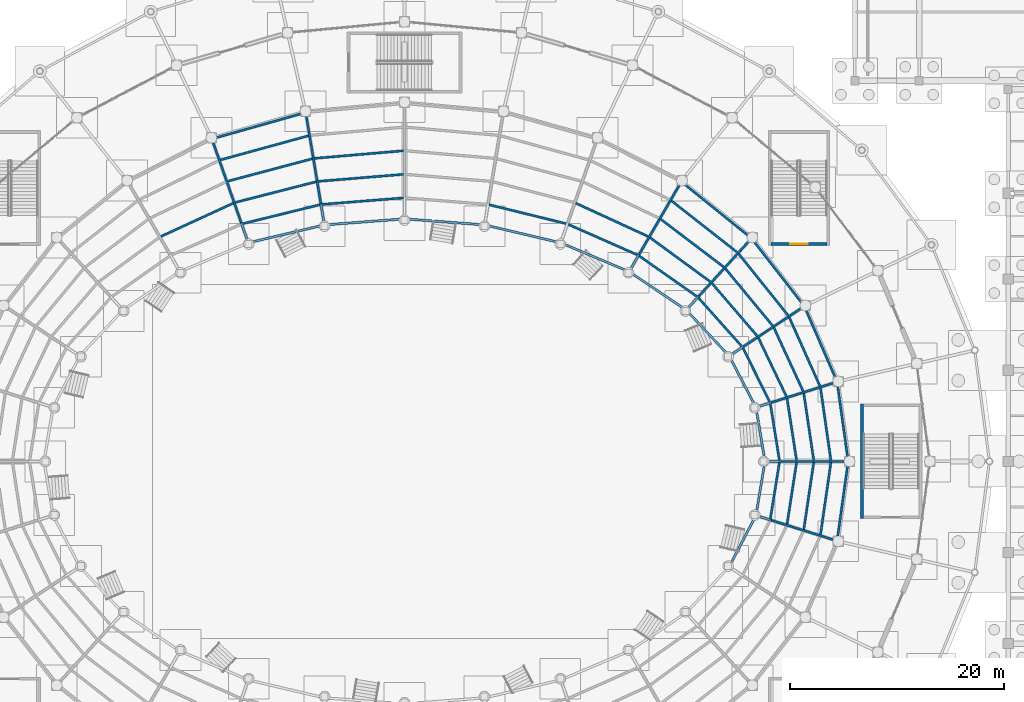
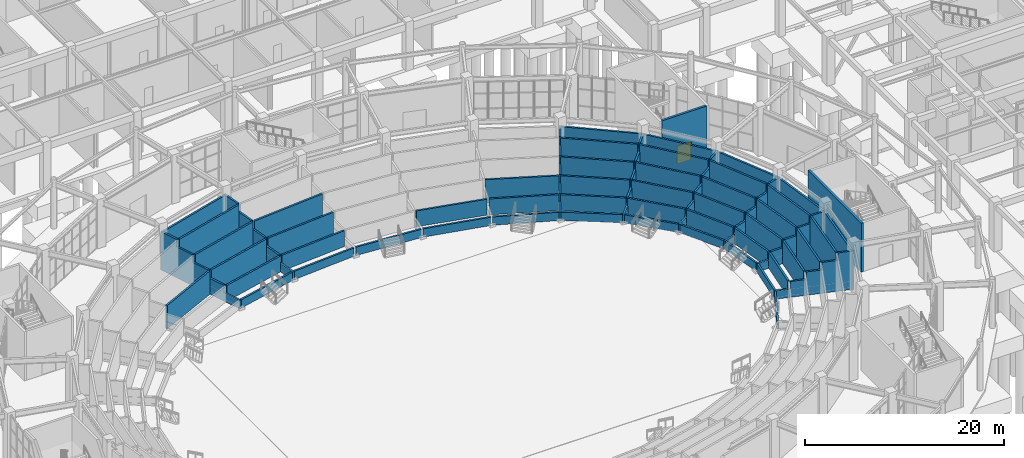
# One storey, part 88 of 121: 58 walls, 1 door, 1 opening.
"""IFC4 building model written with IfcOpenShell, lengths in metres."""

from ifc_helpers import new_model, si_unit, direction, frame, frame_2d, origin, place, context, subcontext, project, spatial, polyline, rectangle, outline, extrude, material, layer, layer_set, type_object, element, fill, save


model = new_model("IFC4")

# Units and contexts
model_context = context("Model", 3, precision=1e-05, world=origin(), true_north=direction((0.0, 1.0)))
body_context = subcontext(model_context, "Body", "Model", "MODEL_VIEW")
ifc_project = project(units=[si_unit("LENGTHUNIT", "METRE"), si_unit("AREAUNIT", "SQUARE_METRE"), si_unit("VOLUMEUNIT", "CUBIC_METRE"), si_unit("PLANEANGLEUNIT", "RADIAN"), si_unit("MASSUNIT", "GRAM", prefix="KILO")], contexts=[model_context])

# Site, building, storey
site_placement = place(None, origin())
site = spatial("IfcSite", under=ifc_project, at=site_placement, CompositionType="ELEMENT")
building_placement = place(site_placement, origin())
building = spatial("IfcBuilding", under=site, at=building_placement, Name="Cuetzalor Civic Arena", CompositionType="ELEMENT")
storey_placement = place(building_placement, origin())
storey = spatial("IfcBuildingStorey", under=building, at=storey_placement, Name="L00", CompositionType="ELEMENT", Elevation=0.0)

# Wall
ifc_material_1 = material(Name="Concrete C40/50", Category="concrete")
ifc_layer_1 = layer(ifc_material_1, 0.25)
ifc_layer_set_1 = layer_set([ifc_layer_1], Name="Concrete C40/50")
wall_type_1 = type_object("IfcWallType", Name="ConcreteCoreShearWall_250", PredefinedType="SHEAR", material=ifc_layer_set_1)
wall_1_placement = place(storey_placement, frame((42.675048828125, -5.35009765625, 0.0), z_axis=(0.0, 0.0, 1.0), x_axis=(0.0, 1.0, 0.0)))
element("IfcWall", 1, at=wall_1_placement, inside=storey, type_object=wall_type_1, Name="Stair Core Shear Wall ST-01-L00-W", PredefinedType="SHEAR", context=body_context, shape_type="SweptSolid", body=[
    extrude(rectangle(XDim=10.7001953125, YDim=0.25, at=frame_2d((5.35009765625, 0.0))), origin(), (0.0, 0.0, 1.0), 6.0),
])

# Wall, opening, door
wall_2_placement = place(storey_placement, frame((39.39990234375, 20.27490234375, 0.0), z_axis=(0.0, 0.0, 1.0), x_axis=(-1.0, 0.0, 0.0)))
wall_2 = element("IfcWall", 2, at=wall_2_placement, inside=storey, type_object=wall_type_1, Name="Stair Core Shear Wall ST-02-L00-S", PredefinedType="SHEAR", context=body_context, shape_type="SweptSolid", body=[
    extrude(rectangle(XDim=5.199951171875, YDim=0.25, at=frame_2d((2.60009765625, 0.0))), origin(), (0.0, 0.0, 1.0), 6.0),
])
opening_placement = place(wall_2_placement, frame((1.77490234375, 0.0, 0.0)))
opening = element("IfcOpeningElement", 3, at=opening_placement, cuts=wall_2, Name="Opening FD-04", PredefinedType="OPENING", context=body_context, shape_type="SweptSolid", body=[
    extrude(rectangle(XDim=1.64990234375, YDim=2.199951171875, at=frame_2d((0.824951171875, 1.10009765625))), frame((0.0, 0.135009765625, 0.0), z_axis=(0.0, -1.0, 0.0), x_axis=(1.0, 0.0, 0.0)), (0.0, 0.0, 1.0), 0.27001953125),
])
ifc_material_2 = material(Name="Fire-rated steel stair exit double door", Category="steel")
door_type = type_object("IfcDoorType", Name="StairFireDoubleDoor_1650x2200", OperationType="DOUBLE_DOOR_SINGLE_SWING", PredefinedType="DOOR", material=ifc_material_2)
door_placement = place(opening_placement, origin())
door = element("IfcDoor", 4, at=door_placement, inside=storey, type_object=door_type, Name="Fire Stair Door ST-02 L00", OperationType="DOUBLE_DOOR_SINGLE_SWING", OverallHeight=2.199951171875, OverallWidth=1.64990234375, PredefinedType="DOOR", context=body_context, shape_type="SweptSolid", body=[
    extrude(rectangle(XDim=1.64990234375, YDim=2.199951171875, at=frame_2d((0.824951171875, 1.10009765625))), frame((0.0, 0.02490234375, 0.0), z_axis=(0.0, -1.0, 0.0), x_axis=(1.0, 0.0, 0.0)), (0.0, 0.0, 1.0), 0.050048828125),
])
fill(opening, door)

# Walls
ifc_material_3 = material(Name="Precast concrete C40/50", Category="concrete")
ifc_layer_2 = layer(ifc_material_3, 0.2099609375)
ifc_layer_set_2 = layer_set([ifc_layer_2], Name="Precast concrete C40/50")
wall_type_2 = type_object("IfcWallType", Name="PrecastBowlRiserWall_210", PredefinedType="SHEAR", material=ifc_layer_set_2)
wall_3_placement = place(storey_placement, frame((33.5, 0.0, 0.0), z_axis=(0.0, 0.0, 1.0), x_axis=(1.0, 0.0, 0.0)))
element("IfcWall", 5, at=wall_3_placement, inside=storey, type_object=wall_type_2, Name="Lower Bowl Radial Carrier Wall S01", PredefinedType="SHEAR", context=body_context, shape_type="SweptSolid", body=[
    extrude(outline(polyline([(0.0, 0.0), (8.0, 0.0), (8.0, 4.699951171875), (6.409912109375, 4.699951171875), (6.39990234375, 3.780029296875), (4.81005859375, 3.780029296875), (4.800048828125, 2.860107421875), (3.2099609375, 2.860107421875), (3.199951171875, 1.93994140625), (1.610107421875, 1.93994140625), (1.60009765625, 1.02001953125), (0.0, 1.02001953125), (0.0, 0.0)])), frame((0.0, 0.10498046875, 0.0), z_axis=(0.0, -1.0, 0.0), x_axis=(1.0, 0.0, 0.0)), (0.0, 0.0, 1.0), 0.2099609375),
])
wall_4_placement = place(storey_placement, frame((33.602294921875, 0.1064453125, 0.0), z_axis=(0.0, 0.0, 1.0), x_axis=(-0.165184635081, 0.986262660924, 0.0)))
element("IfcWall", 6, at=wall_4_placement, inside=storey, type_object=wall_type_2, Name="Lower Bowl Riser Support Wall S01-R0", PredefinedType="SHEAR", context=body_context, shape_type="SweptSolid", body=[
    extrude(rectangle(XDim=4.8876953125, YDim=0.2099609375, at=frame_2d((2.44384765625, 0.0))), origin(), (0.0, 0.0, 1.0), 1.02001953125),
])
wall_5_placement = place(storey_placement, frame((34.962890625, 0.106689453125, 0.0), z_axis=(0.0, 0.0, 1.0), x_axis=(-0.158312450373, 0.987389066203, 0.0)))
element("IfcWall", 7, at=wall_5_placement, inside=storey, type_object=wall_type_2, Name="Lower Bowl Riser Support Wall S01-R1", PredefinedType="SHEAR", context=body_context, shape_type="SweptSolid", body=[
    extrude(rectangle(XDim=5.323486328125, YDim=0.2099609375, at=frame_2d((2.66162109375, 0.0))), origin(), (0.0, 0.0, 1.0), 1.93994140625),
])
wall_6_placement = place(storey_placement, frame((36.563720703125, 0.106689453125, 0.0), z_axis=(0.0, 0.0, 1.0), x_axis=(-0.152155014596, 0.988356641872, 0.0)))
element("IfcWall", 8, at=wall_6_placement, inside=storey, type_object=wall_type_2, Name="Lower Bowl Riser Support Wall S01-R2", PredefinedType="SHEAR", context=body_context, shape_type="SweptSolid", body=[
    extrude(rectangle(XDim=5.813232421875, YDim=0.2099609375, at=frame_2d((2.90673828125, 0.0))), origin(), (0.0, 0.0, 1.0), 2.860107421875),
])
wall_7_placement = place(storey_placement, frame((38.1640625, 0.106689453125, 0.0), z_axis=(0.0, 0.0, 1.0), x_axis=(-0.146830796595, 0.989161623382, 0.0)))
element("IfcWall", 9, at=wall_7_placement, inside=storey, type_object=wall_type_2, Name="Lower Bowl Riser Support Wall S01-R3", PredefinedType="SHEAR", context=body_context, shape_type="SweptSolid", body=[
    extrude(rectangle(XDim=6.303466796875, YDim=0.2099609375, at=frame_2d((3.15185546875, 0.0))), origin(), (0.0, 0.0, 1.0), 3.780029296875),
])
wall_8_placement = place(storey_placement, frame((39.7646484375, 0.10693359375, 0.0), z_axis=(0.0, 0.0, 1.0), x_axis=(-0.142276616276, 0.989826936621, 0.0)))
element("IfcWall", 10, at=wall_8_placement, inside=storey, type_object=wall_type_2, Name="Lower Bowl Riser Support Wall S01-R4", PredefinedType="SHEAR", context=body_context, shape_type="SweptSolid", body=[
    extrude(rectangle(XDim=6.79345703125, YDim=0.2099609375, at=frame_2d((3.396728515625, 0.0))), origin(), (0.0, 0.0, 1.0), 4.699951171875),
])
wall_9_placement = place(storey_placement, frame((41.364990234375, 0.10693359375, 0.0), z_axis=(0.0, 0.0, 1.0), x_axis=(-0.138328306296, 0.99038642947, 0.0)))
element("IfcWall", 11, at=wall_9_placement, inside=storey, type_object=wall_type_2, Name="Lower Bowl Riser Support Wall S01-R5", PredefinedType="SHEAR", context=body_context, shape_type="SweptSolid", body=[
    extrude(rectangle(XDim=7.283935546875, YDim=0.2099609375, at=frame_2d((3.64208984375, 0.0))), origin(), (0.0, 0.0, 1.0), 4.699951171875),
])
wall_10_placement = place(storey_placement, frame((32.66015625, 5.006591796875, 0.0), z_axis=(0.0, 0.0, 1.0), x_axis=(0.954106169475, 0.299468558233, 0.0)))
element("IfcWall", 12, at=wall_10_placement, inside=storey, type_object=wall_type_2, Name="Lower Bowl Radial Carrier Wall S02", PredefinedType="SHEAR", context=body_context, shape_type="SweptSolid", body=[
    extrude(outline(polyline([(0.0, 0.0), (8.174560546875, 0.0), (8.174560546875, 4.699951171875), (6.549560546875, 4.699951171875), (6.53955078125, 3.780029296875), (4.914794921875, 3.780029296875), (4.90478515625, 2.860107421875), (3.27978515625, 2.860107421875), (3.269775390625, 1.93994140625), (1.64501953125, 1.93994140625), (1.635009765625, 1.02001953125), (0.0, 1.02001953125), (0.0, 0.0)])), frame((0.0, 0.10498046875, 0.0), z_axis=(0.0, -1.0, 0.0), x_axis=(1.0, 0.0, 0.0)), (0.0, 0.0, 1.0), 0.2099609375),
])
wall_11_placement = place(storey_placement, frame((32.727294921875, 5.129150390625, 0.0), z_axis=(0.0, 0.0, 1.0), x_axis=(-0.46140920128, 0.88718743734, 0.0)))
element("IfcWall", 13, at=wall_11_placement, inside=storey, type_object=wall_type_2, Name="Lower Bowl Riser Support Wall S02-R0", PredefinedType="SHEAR", context=body_context, shape_type="SweptSolid", body=[
    extrude(rectangle(XDim=5.173095703125, YDim=0.2099609375, at=frame_2d((2.58642578125, 0.0))), origin(), (0.0, 0.0, 1.0), 1.02001953125),
])
wall_12_placement = place(storey_placement, frame((34.054931640625, 5.56640625, 0.0), z_axis=(0.0, 0.0, 1.0), x_axis=(-0.44579738942, 0.895133893664, 0.0)))
element("IfcWall", 14, at=wall_12_placement, inside=storey, type_object=wall_type_2, Name="Lower Bowl Riser Support Wall S02-R1", PredefinedType="SHEAR", context=body_context, shape_type="SweptSolid", body=[
    extrude(rectangle(XDim=5.587646484375, YDim=0.2099609375, at=frame_2d((2.7939453125, 0.0))), origin(), (0.0, 0.0, 1.0), 1.93994140625),
])
wall_13_placement = place(storey_placement, frame((35.6162109375, 6.056396484375, 0.0), z_axis=(0.0, 0.0, 1.0), x_axis=(-0.431231590807, 0.902241273214, 0.0)))
element("IfcWall", 15, at=wall_13_placement, inside=storey, type_object=wall_type_2, Name="Lower Bowl Riser Support Wall S02-R2", PredefinedType="SHEAR", context=body_context, shape_type="SweptSolid", body=[
    extrude(rectangle(XDim=6.057861328125, YDim=0.2099609375, at=frame_2d((3.02880859375, 0.0))), origin(), (0.0, 0.0, 1.0), 2.860107421875),
])
wall_14_placement = place(storey_placement, frame((37.177490234375, 6.546875, 0.0), z_axis=(0.0, 0.0, 1.0), x_axis=(-0.41867397514, 0.908136610065, 0.0)))
element("IfcWall", 16, at=wall_14_placement, inside=storey, type_object=wall_type_2, Name="Lower Bowl Riser Support Wall S02-R3", PredefinedType="SHEAR", context=body_context, shape_type="SweptSolid", body=[
    extrude(rectangle(XDim=6.52880859375, YDim=0.2099609375, at=frame_2d((3.264404296875, 0.0))), origin(), (0.0, 0.0, 1.0), 3.780029296875),
])
wall_15_placement = place(storey_placement, frame((38.738525390625, 7.036865234375, 0.0), z_axis=(0.0, 0.0, 1.0), x_axis=(-0.407645648148, 0.913140200378, 0.0)))
element("IfcWall", 17, at=wall_15_placement, inside=storey, type_object=wall_type_2, Name="Lower Bowl Riser Support Wall S02-R4", PredefinedType="SHEAR", context=body_context, shape_type="SweptSolid", body=[
    extrude(rectangle(XDim=7.001220703125, YDim=0.2099609375, at=frame_2d((3.50048828125, 0.0))), origin(), (0.0, 0.0, 1.0), 4.699951171875),
])
wall_16_placement = place(storey_placement, frame((40.299560546875, 7.52685546875, 0.0), z_axis=(0.0, 0.0, 1.0), x_axis=(-0.397948413822, 0.917407793697, 0.0)))
element("IfcWall", 18, at=wall_16_placement, inside=storey, type_object=wall_type_2, Name="Lower Bowl Riser Support Wall S02-R5", PredefinedType="SHEAR", context=body_context, shape_type="SweptSolid", body=[
    extrude(rectangle(XDim=7.474365234375, YDim=0.2099609375, at=frame_2d((3.7373046875, 0.0))), origin(), (0.0, 0.0, 1.0), 4.699951171875),
])
wall_17_placement = place(storey_placement, frame((30.1826171875, 9.762451171875, 0.0), z_axis=(0.0, 0.0, 1.0), x_axis=(0.833771228261, 0.552110078629, 0.0)))
element("IfcWall", 19, at=wall_17_placement, inside=storey, type_object=wall_type_2, Name="Lower Bowl Radial Carrier Wall S03", PredefinedType="SHEAR", context=body_context, shape_type="SweptSolid", body=[
    extrude(outline(polyline([(0.0, 0.0), (8.64453125, 0.0), (8.64453125, 4.699951171875), (6.92578125, 4.699951171875), (6.915771484375, 3.780029296875), (5.19677734375, 3.780029296875), (5.186767578125, 2.860107421875), (3.4677734375, 2.860107421875), (3.457763671875, 1.93994140625), (1.739013671875, 1.93994140625), (1.72900390625, 1.02001953125), (0.0, 1.02001953125), (0.0, 0.0)])), frame((0.0, 0.10498046875, 0.0), z_axis=(0.0, -1.0, 0.0), x_axis=(1.0, 0.0, 0.0)), (0.0, 0.0, 1.0), 0.2099609375),
])
wall_18_placement = place(storey_placement, frame((30.216796875, 9.893310546875, 0.0), z_axis=(0.0, 0.0, 1.0), x_axis=(-0.682527516109, 0.730859897486, 0.0)))
element("IfcWall", 20, at=wall_18_placement, inside=storey, type_object=wall_type_2, Name="Lower Bowl Riser Support Wall S03-R0", PredefinedType="SHEAR", context=body_context, shape_type="SweptSolid", body=[
    extrude(rectangle(XDim=5.65234375, YDim=0.2099609375, at=frame_2d((2.826171875, 0.0))), origin(), (0.0, 0.0, 1.0), 1.02001953125),
])
wall_19_placement = place(storey_placement, frame((31.44384765625, 10.745361328125, 0.0), z_axis=(0.0, 0.0, 1.0), x_axis=(-0.666570191538, 0.745442271241, 0.0)))
element("IfcWall", 21, at=wall_19_placement, inside=storey, type_object=wall_type_2, Name="Lower Bowl Riser Support Wall S03-R1", PredefinedType="SHEAR", context=body_context, shape_type="SweptSolid", body=[
    extrude(rectangle(XDim=6.0361328125, YDim=0.2099609375, at=frame_2d((3.01806640625, 0.0))), origin(), (0.0, 0.0, 1.0), 1.93994140625),
])
wall_20_placement = place(storey_placement, frame((32.88720703125, 11.701416015625, 0.0), z_axis=(0.0, 0.0, 1.0), x_axis=(-0.651315952363, 0.758806648756, 0.0)))
element("IfcWall", 22, at=wall_20_placement, inside=storey, type_object=wall_type_2, Name="Lower Bowl Riser Support Wall S03-R2", PredefinedType="SHEAR", context=body_context, shape_type="SweptSolid", body=[
    extrude(rectangle(XDim=6.475341796875, YDim=0.2099609375, at=frame_2d((3.23779296875, 0.0))), origin(), (0.0, 0.0, 1.0), 2.860107421875),
])
wall_21_placement = place(storey_placement, frame((34.330078125, 12.6572265625, 0.0), z_axis=(0.0, 0.0, 1.0), x_axis=(-0.637671002235, 0.770308829567, 0.0)))
element("IfcWall", 23, at=wall_21_placement, inside=storey, type_object=wall_type_2, Name="Lower Bowl Riser Support Wall S03-R3", PredefinedType="SHEAR", context=body_context, shape_type="SweptSolid", body=[
    extrude(rectangle(XDim=6.917236328125, YDim=0.2099609375, at=frame_2d((3.45849609375, 0.0))), origin(), (0.0, 0.0, 1.0), 3.780029296875),
])
wall_22_placement = place(storey_placement, frame((35.77294921875, 13.61279296875, 0.0), z_axis=(0.0, 0.0, 1.0), x_axis=(-0.625463248633, 0.780253628386, 0.0)))
element("IfcWall", 24, at=wall_22_placement, inside=storey, type_object=wall_type_2, Name="Lower Bowl Riser Support Wall S03-R4", PredefinedType="SHEAR", context=body_context, shape_type="SweptSolid", body=[
    extrude(rectangle(XDim=7.36083984375, YDim=0.2099609375, at=frame_2d((3.680419921875, 0.0))), origin(), (0.0, 0.0, 1.0), 4.699951171875),
])
wall_23_placement = place(storey_placement, frame((37.2158203125, 14.568115234375, 0.0), z_axis=(0.0, 0.0, 1.0), x_axis=(-0.614501224006, 0.788915867311, 0.0)))
element("IfcWall", 25, at=wall_23_placement, inside=storey, type_object=wall_type_2, Name="Lower Bowl Riser Support Wall S03-R5", PredefinedType="SHEAR", context=body_context, shape_type="SweptSolid", body=[
    extrude(rectangle(XDim=7.806640625, YDim=0.2099609375, at=frame_2d((3.9033203125, 0.0))), origin(), (0.0, 0.0, 1.0), 4.699951171875),
])
wall_24_placement = place(storey_placement, frame((26.19140625, 14.028564453125, 0.0), z_axis=(0.0, 0.0, 1.0), x_axis=(0.67383580406, 0.73888111978, 0.0)))
element("IfcWall", 26, at=wall_24_placement, inside=storey, type_object=wall_type_2, Name="Lower Bowl Radial Carrier Wall S04", PredefinedType="SHEAR", context=body_context, shape_type="SweptSolid", body=[
    extrude(outline(polyline([(0.0, 0.0), (9.2822265625, 0.0), (9.281982421875, 4.699951171875), (7.435791015625, 4.699951171875), (7.42578125, 3.780029296875), (5.579345703125, 3.780029296875), (5.5693359375, 2.860107421875), (3.722900390625, 2.860107421875), (3.712890625, 1.93994140625), (1.866455078125, 1.93994140625), (1.8564453125, 1.02001953125), (0.0, 1.02001953125), (0.0, 0.0)])), frame((0.0, 0.10498046875, 0.0), z_axis=(0.0, -1.0, 0.0), x_axis=(1.0, 0.0, 0.0)), (0.0, 0.0, 1.0), 0.2099609375),
])
wall_25_placement = place(storey_placement, frame((26.195556640625, 14.16357421875, 0.0), z_axis=(0.0, 0.0, 1.0), x_axis=(-0.829686299327, 0.558229921008, 0.0)))
element("IfcWall", 27, at=wall_25_placement, inside=storey, type_object=wall_type_2, Name="Lower Bowl Riser Support Wall S04-R0", PredefinedType="SHEAR", context=body_context, shape_type="SweptSolid", body=[
    extrude(rectangle(XDim=6.2001953125, YDim=0.2099609375, at=frame_2d((3.10009765625, 0.0))), origin(), (0.0, 0.0, 1.0), 1.02001953125),
])
wall_26_placement = place(storey_placement, frame((27.260009765625, 15.387451171875, 0.0), z_axis=(0.0, 0.0, 1.0), x_axis=(-0.818187433955, 0.574951583108, 0.0)))
element("IfcWall", 28, at=wall_26_placement, inside=storey, type_object=wall_type_2, Name="Lower Bowl Riser Support Wall S04-R1", PredefinedType="SHEAR", context=body_context, shape_type="SweptSolid", body=[
    extrude(rectangle(XDim=6.55322265625, YDim=0.2099609375, at=frame_2d((3.276611328125, 0.0))), origin(), (0.0, 0.0, 1.0), 1.93994140625),
])
wall_27_placement = place(storey_placement, frame((28.51220703125, 16.760986328125, 0.0), z_axis=(0.0, 0.0, 1.0), x_axis=(-0.806901917216, 0.590685445896, 0.0)))
element("IfcWall", 29, at=wall_27_placement, inside=storey, type_object=wall_type_2, Name="Lower Bowl Riser Support Wall S04-R2", PredefinedType="SHEAR", context=body_context, shape_type="SweptSolid", body=[
    extrude(rectangle(XDim=6.96240234375, YDim=0.2099609375, at=frame_2d((3.481201171875, 0.0))), origin(), (0.0, 0.0, 1.0), 2.860107421875),
])
wall_28_placement = place(storey_placement, frame((29.764404296875, 18.134033203125, 0.0), z_axis=(0.0, 0.0, 1.0), x_axis=(-0.796530171692, 0.604598780667, 0.0)))
element("IfcWall", 30, at=wall_28_placement, inside=storey, type_object=wall_type_2, Name="Lower Bowl Riser Support Wall S04-R3", PredefinedType="SHEAR", context=body_context, shape_type="SweptSolid", body=[
    extrude(rectangle(XDim=7.3740234375, YDim=0.2099609375, at=frame_2d((3.68701171875, 0.0))), origin(), (0.0, 0.0, 1.0), 3.780029296875),
])
wall_29_placement = place(storey_placement, frame((31.016357421875, 19.507080078125, 0.0), z_axis=(0.0, 0.0, 1.0), x_axis=(-0.787057560767, 0.616879563642, 0.0)))
element("IfcWall", 31, at=wall_29_placement, inside=storey, type_object=wall_type_2, Name="Lower Bowl Riser Support Wall S04-R4", PredefinedType="SHEAR", context=body_context, shape_type="SweptSolid", body=[
    extrude(rectangle(XDim=7.787109375, YDim=0.2099609375, at=frame_2d((3.8935546875, 0.0))), origin(), (0.0, 0.0, 1.0), 4.699951171875),
])
wall_30_placement = place(storey_placement, frame((32.26806640625, 20.8798828125, 0.0), z_axis=(0.0, 0.0, 1.0), x_axis=(-0.778324356103, 0.627862402678, 0.0)))
element("IfcWall", 32, at=wall_30_placement, inside=storey, type_object=wall_type_2, Name="Lower Bowl Riser Support Wall S04-R5", PredefinedType="SHEAR", context=body_context, shape_type="SweptSolid", body=[
    extrude(rectangle(XDim=8.202392578125, YDim=0.2099609375, at=frame_2d((4.10107421875, 0.0))), origin(), (0.0, 0.0, 1.0), 4.699951171875),
])
wall_31_placement = place(storey_placement, frame((20.886962890625, 17.59130859375, 0.0), z_axis=(0.0, 0.0, 1.0), x_axis=(0.501698244165, 0.86504269941, 0.0)))
element("IfcWall", 33, at=wall_31_placement, inside=storey, type_object=wall_type_2, Name="Lower Bowl Radial Carrier Wall S05", PredefinedType="SHEAR", context=body_context, shape_type="SweptSolid", body=[
    extrude(outline(polyline([(0.0, 0.0), (9.94189453125, 0.0), (9.94189453125, 4.699951171875), (7.963623046875, 4.699951171875), (7.95361328125, 3.780029296875), (5.97509765625, 3.780029296875), (5.965087890625, 2.860107421875), (3.98681640625, 2.860107421875), (3.976806640625, 1.93994140625), (1.998291015625, 1.93994140625), (1.98828125, 1.02001953125), (0.0, 1.02001953125), (0.0, 0.0)])), frame((0.0, 0.10498046875, 0.0), z_axis=(0.0, -1.0, 0.0), x_axis=(1.0, 0.0, 0.0)), (0.0, 0.0, 1.0), 0.2099609375),
])
wall_32_placement = place(storey_placement, frame((20.8623046875, 17.72705078125, 0.0), z_axis=(0.0, 0.0, 1.0), x_axis=(-0.921068235508, 0.389401214095, 0.0)))
element("IfcWall", 34, at=wall_32_placement, inside=storey, type_object=wall_type_2, Name="Lower Bowl Riser Support Wall S05-R0", PredefinedType="SHEAR", context=body_context, shape_type="SweptSolid", body=[
    extrude(rectangle(XDim=6.704833984375, YDim=0.2099609375, at=frame_2d((3.3525390625, 0.0))), origin(), (0.0, 0.0, 1.0), 1.02001953125),
])
wall_33_placement = place(storey_placement, frame((21.7109375, 19.260986328125, 0.0), z_axis=(0.0, 0.0, 1.0), x_axis=(-0.914790712521, 0.403928152381, 0.0)))
element("IfcWall", 35, at=wall_33_placement, inside=storey, type_object=wall_type_2, Name="Lower Bowl Riser Support Wall S05-R1", PredefinedType="SHEAR", context=body_context, shape_type="SweptSolid", body=[
    extrude(rectangle(XDim=7.0341796875, YDim=0.2099609375, at=frame_2d((3.51708984375, 0.0))), origin(), (0.0, 0.0, 1.0), 1.93994140625),
])
wall_34_placement = place(storey_placement, frame((22.709228515625, 20.982421875, 0.0), z_axis=(0.0, 0.0, 1.0), x_axis=(-0.908487454009, 0.417912127018, 0.0)))
element("IfcWall", 36, at=wall_34_placement, inside=storey, type_object=wall_type_2, Name="Lower Bowl Riser Support Wall S05-R2", PredefinedType="SHEAR", context=body_context, shape_type="SweptSolid", body=[
    extrude(rectangle(XDim=7.418701171875, YDim=0.2099609375, at=frame_2d((3.70947265625, 0.0))), origin(), (0.0, 0.0, 1.0), 2.860107421875),
])
wall_35_placement = place(storey_placement, frame((14.482177734375, 20.40478515625, 0.0), z_axis=(0.0, 0.0, 1.0), x_axis=(-0.973395018135, 0.22913345166, 0.0)))
element("IfcWall", 37, at=wall_35_placement, inside=storey, type_object=wall_type_2, Name="Lower Bowl Riser Support Wall S06-R0", PredefinedType="SHEAR", context=body_context, shape_type="SweptSolid", body=[
    extrude(rectangle(XDim=7.08447265625, YDim=0.2099609375, at=frame_2d((3.542236328125, 0.0))), origin(), (0.0, 0.0, 1.0), 1.02001953125),
])
wall_36_placement = place(storey_placement, frame((15.072509765625, 22.171630859375, 0.0), z_axis=(0.0, 0.0, 1.0), x_axis=(-0.971076710896, 0.238767714642, 0.0)))
element("IfcWall", 38, at=wall_36_placement, inside=storey, type_object=wall_type_2, Name="Lower Bowl Riser Support Wall S06-R1", PredefinedType="SHEAR", context=body_context, shape_type="SweptSolid", body=[
    extrude(rectangle(XDim=7.397705078125, YDim=0.2099609375, at=frame_2d((3.69873046875, 0.0))), origin(), (0.0, 0.0, 1.0), 1.93994140625),
])
for number, where, z_axis, x_axis, name in (
    (39, (7.37353515625, 22.06103515625, 0.0), (0.0, 0.0, 1.0), (-0.997139207233, 0.075587045177, 0.0), "Lower Bowl Riser Support Wall S07-R0"),
    (40, (-0.107666015625, 22.61181640625, 0.0), (0.0, 0.0, 1.0), (-0.997139207233, -0.075587045177, 0.0), "Lower Bowl Riser Support Wall S08-R0"),
):
    element("IfcWall", number, at=place(storey_placement, frame(where, z_axis=z_axis, x_axis=x_axis)), inside=storey, type_object=wall_type_2, Name=name, PredefinedType="SHEAR", context=body_context, shape_type="SweptSolid", body=[
        extrude(rectangle(XDim=7.28662109375, YDim=0.2099609375, at=frame_2d((3.643310546875, 0.0))), origin(), (0.0, 0.0, 1.0), 1.02001953125),
    ])
wall_37_placement = place(storey_placement, frame((-0.107666015625, 24.571533203125, 0.0), z_axis=(0.0, 0.0, 1.0), x_axis=(-0.996878864227, -0.07894637457, 0.0)))
element("IfcWall", 41, at=wall_37_placement, inside=storey, type_object=wall_type_2, Name="Lower Bowl Riser Support Wall S08-R1", PredefinedType="SHEAR", context=body_context, shape_type="SweptSolid", body=[
    extrude(rectangle(XDim=7.592041015625, YDim=0.2099609375, at=frame_2d((3.7958984375, 0.0))), origin(), (0.0, 0.0, 1.0), 1.93994140625),
])
wall_38_placement = place(storey_placement, frame((-0.107666015625, 26.77099609375, 0.0), z_axis=(0.0, 0.0, 1.0), x_axis=(-0.996616331172, -0.08219421173, 0.0)))
element("IfcWall", 42, at=wall_38_placement, inside=storey, type_object=wall_type_2, Name="Lower Bowl Riser Support Wall S08-R2", PredefinedType="SHEAR", context=body_context, shape_type="SweptSolid", body=[
    extrude(rectangle(XDim=7.951416015625, YDim=0.2099609375, at=frame_2d((3.9755859375, 0.0))), origin(), (0.0, 0.0, 1.0), 2.860107421875),
])
wall_39_placement = place(storey_placement, frame((-0.107666015625, 28.970703125, 0.0), z_axis=(0.0, 0.0, 1.0), x_axis=(-0.99636455298, -0.085192004117, 0.0)))
element("IfcWall", 43, at=wall_39_placement, inside=storey, type_object=wall_type_2, Name="Lower Bowl Riser Support Wall S08-R3", PredefinedType="SHEAR", context=body_context, shape_type="SweptSolid", body=[
    extrude(rectangle(XDim=8.310791015625, YDim=0.2099609375, at=frame_2d((4.1552734375, 0.0))), origin(), (0.0, 0.0, 1.0), 3.780029296875),
])
wall_40_placement = place(storey_placement, frame((-7.45458984375, 21.935791015625, 0.0), z_axis=(0.0, 0.0, 1.0), x_axis=(-0.163739783963, 0.986503564691, 0.0)))
element("IfcWall", 44, at=wall_40_placement, inside=storey, type_object=wall_type_2, Name="Lower Bowl Radial Carrier Wall S09", PredefinedType="SHEAR", context=body_context, shape_type="SweptSolid", body=[
    extrude(outline(polyline([(0.0, 0.0), (10.87109375, 0.0), (10.870849609375, 4.699951171875), (8.706787109375, 4.699951171875), (8.69677734375, 3.780029296875), (6.532470703125, 3.780029296875), (6.5224609375, 2.860107421875), (4.3583984375, 2.860107421875), (4.348388671875, 1.93994140625), (2.18408203125, 1.93994140625), (2.17431640625, 1.02001953125), (0.0, 1.02001953125), (0.0, 0.0)])), frame((0.0, 0.10498046875, 0.0), z_axis=(0.0, -1.0, 0.0), x_axis=(1.0, 0.0, 0.0)), (0.0, 0.0, 1.0), 0.2099609375),
])
wall_41_placement = place(storey_placement, frame((-7.586181640625, 22.028076171875, 0.0), z_axis=(0.0, 0.0, 1.0), x_axis=(-0.973395018135, -0.22913345166, 0.0)))
element("IfcWall", 45, at=wall_41_placement, inside=storey, type_object=wall_type_2, Name="Lower Bowl Riser Support Wall S09-R0", PredefinedType="SHEAR", context=body_context, shape_type="SweptSolid", body=[
    extrude(rectangle(XDim=7.08447265625, YDim=0.2099609375, at=frame_2d((3.542236328125, 0.0))), origin(), (0.0, 0.0, 1.0), 1.02001953125),
])
wall_42_placement = place(storey_placement, frame((-7.888671875, 23.93798828125, 0.0), z_axis=(0.0, 0.0, 1.0), x_axis=(-0.971076710896, -0.238767714642, 0.0)))
element("IfcWall", 46, at=wall_42_placement, inside=storey, type_object=wall_type_2, Name="Lower Bowl Riser Support Wall S09-R1", PredefinedType="SHEAR", context=body_context, shape_type="SweptSolid", body=[
    extrude(rectangle(XDim=7.397705078125, YDim=0.2099609375, at=frame_2d((3.69873046875, 0.0))), origin(), (0.0, 0.0, 1.0), 1.93994140625),
])
wall_43_placement = place(storey_placement, frame((-8.244384765625, 26.081787109375, 0.0), z_axis=(0.0, 0.0, 1.0), x_axis=(-0.968720668809, -0.248153714102, 0.0)))
element("IfcWall", 47, at=wall_43_placement, inside=storey, type_object=wall_type_2, Name="Lower Bowl Riser Support Wall S09-R2", PredefinedType="SHEAR", context=body_context, shape_type="SweptSolid", body=[
    extrude(rectangle(XDim=7.765380859375, YDim=0.2099609375, at=frame_2d((3.8828125, 0.0))), origin(), (0.0, 0.0, 1.0), 2.860107421875),
])
wall_44_placement = place(storey_placement, frame((-8.60009765625, 28.2255859375, 0.0), z_axis=(0.0, 0.0, 1.0), x_axis=(-0.966491526887, -0.25669851666, 0.0)))
element("IfcWall", 48, at=wall_44_placement, inside=storey, type_object=wall_type_2, Name="Lower Bowl Riser Support Wall S09-R3", PredefinedType="SHEAR", context=body_context, shape_type="SweptSolid", body=[
    extrude(rectangle(XDim=8.133544921875, YDim=0.2099609375, at=frame_2d((4.06689453125, 0.0))), origin(), (0.0, 0.0, 1.0), 3.780029296875),
])
wall_45_placement = place(storey_placement, frame((-8.9560546875, 30.36962890625, 0.0), z_axis=(0.0, 0.0, 1.0), x_axis=(-0.964389789843, -0.264485034069, 0.0)))
element("IfcWall", 49, at=wall_45_placement, inside=storey, type_object=wall_type_2, Name="Lower Bowl Riser Support Wall S09-R4", PredefinedType="SHEAR", context=body_context, shape_type="SweptSolid", body=[
    extrude(rectangle(XDim=8.50244140625, YDim=0.2099609375, at=frame_2d((4.251220703125, 0.0))), origin(), (0.0, 0.0, 1.0), 4.699951171875),
])
wall_46_placement = place(storey_placement, frame((-9.311767578125, 32.513916015625, 0.0), z_axis=(0.0, 0.0, 1.0), x_axis=(-0.962386234361, -0.271684993905, 0.0)))
element("IfcWall", 50, at=wall_46_placement, inside=storey, type_object=wall_type_2, Name="Lower Bowl Riser Support Wall S09-R5", PredefinedType="SHEAR", context=body_context, shape_type="SweptSolid", body=[
    extrude(rectangle(XDim=8.8720703125, YDim=0.2099609375, at=frame_2d((4.43603515625, 0.0))), origin(), (0.0, 0.0, 1.0), 4.699951171875),
])
wall_47_placement = place(storey_placement, frame((-14.53515625, 20.271728515625, 0.0), z_axis=(0.0, 0.0, 1.0), x_axis=(-0.33053164726, 0.94379490895, 0.0)))
element("IfcWall", 51, at=wall_47_placement, inside=storey, type_object=wall_type_2, Name="Lower Bowl Radial Carrier Wall S10", PredefinedType="SHEAR", context=body_context, shape_type="SweptSolid", body=[
    extrude(outline(polyline([(0.0, 0.0), (10.501220703125, 0.0), (10.5009765625, 4.699951171875), (8.410888671875, 4.699951171875), (8.40087890625, 3.780029296875), (6.310546875, 3.780029296875), (6.300537109375, 2.860107421875), (4.21044921875, 2.860107421875), (4.200439453125, 1.93994140625), (2.110107421875, 1.93994140625), (2.10009765625, 1.02001953125), (0.0, 1.02001953125), (0.0, 0.0)])), frame((0.0, 0.10498046875, 0.0), z_axis=(0.0, -1.0, 0.0), x_axis=(1.0, 0.0, 0.0)), (0.0, 0.0, 1.0), 0.2099609375),
])
wall_48_placement = place(storey_placement, frame((-15.969482421875, 24.082763671875, 0.0), z_axis=(0.0, 0.0, 1.0), x_axis=(-0.908487454009, -0.417912127018, 0.0)))
element("IfcWall", 52, at=wall_48_placement, inside=storey, type_object=wall_type_2, Name="Lower Bowl Riser Support Wall S10-R2", PredefinedType="SHEAR", context=body_context, shape_type="SweptSolid", body=[
    extrude(rectangle(XDim=7.418701171875, YDim=0.2099609375, at=frame_2d((3.70947265625, 0.0))), origin(), (0.0, 0.0, 1.0), 2.860107421875),
])
wall_49_placement = place(storey_placement, frame((30.34033203125, -9.71875, 0.0), z_axis=(0.0, 0.0, 1.0), x_axis=(0.46140920128, 0.88718743734, 0.0)))
element("IfcWall", 53, at=wall_49_placement, inside=storey, type_object=wall_type_2, Name="Lower Bowl Riser Support Wall S27-R0", PredefinedType="SHEAR", context=body_context, shape_type="SweptSolid", body=[
    extrude(rectangle(XDim=5.173095703125, YDim=0.2099609375, at=frame_2d((2.58642578125, 0.0))), origin(), (0.0, 0.0, 1.0), 1.02001953125),
])
wall_50_placement = place(storey_placement, frame((32.66015625, -5.006591796875, 0.0), z_axis=(0.0, 0.0, 1.0), x_axis=(0.954106169475, -0.299468558233, 0.0)))
element("IfcWall", 54, at=wall_50_placement, inside=storey, type_object=wall_type_2, Name="Lower Bowl Radial Carrier Wall S28", PredefinedType="SHEAR", context=body_context, shape_type="SweptSolid", body=[
    extrude(outline(polyline([(0.0, 0.0), (8.174560546875, 0.0), (8.174560546875, 4.699951171875), (6.549560546875, 4.699951171875), (6.53955078125, 3.780029296875), (4.914794921875, 3.780029296875), (4.90478515625, 2.860107421875), (3.27978515625, 2.860107421875), (3.269775390625, 1.93994140625), (1.64501953125, 1.93994140625), (1.635009765625, 1.02001953125), (0.0, 1.02001953125), (0.0, 0.0)])), frame((0.0, 0.10498046875, 0.0), z_axis=(0.0, -1.0, 0.0), x_axis=(1.0, 0.0, 0.0)), (0.0, 0.0, 1.0), 0.2099609375),
])
wall_51_placement = place(storey_placement, frame((32.794921875, -4.927001953125, 0.0), z_axis=(0.0, 0.0, 1.0), x_axis=(0.165184635081, 0.986262660924, 0.0)))
element("IfcWall", 55, at=wall_51_placement, inside=storey, type_object=wall_type_2, Name="Lower Bowl Riser Support Wall S28-R0", PredefinedType="SHEAR", context=body_context, shape_type="SweptSolid", body=[
    extrude(rectangle(XDim=4.8876953125, YDim=0.2099609375, at=frame_2d((2.44384765625, 0.0))), origin(), (0.0, 0.0, 1.0), 1.02001953125),
])
wall_52_placement = place(storey_placement, frame((34.1201171875, -5.363037109375, 0.0), z_axis=(0.0, 0.0, 1.0), x_axis=(0.158312450373, 0.987389066203, 0.0)))
element("IfcWall", 56, at=wall_52_placement, inside=storey, type_object=wall_type_2, Name="Lower Bowl Riser Support Wall S28-R1", PredefinedType="SHEAR", context=body_context, shape_type="SweptSolid", body=[
    extrude(rectangle(XDim=5.323486328125, YDim=0.2099609375, at=frame_2d((2.66162109375, 0.0))), origin(), (0.0, 0.0, 1.0), 1.93994140625),
])
wall_53_placement = place(storey_placement, frame((35.67919921875, -5.852294921875, 0.0), z_axis=(0.0, 0.0, 1.0), x_axis=(0.152155014596, 0.988356641872, 0.0)))
element("IfcWall", 57, at=wall_53_placement, inside=storey, type_object=wall_type_2, Name="Lower Bowl Riser Support Wall S28-R2", PredefinedType="SHEAR", context=body_context, shape_type="SweptSolid", body=[
    extrude(rectangle(XDim=5.813232421875, YDim=0.2099609375, at=frame_2d((2.90673828125, 0.0))), origin(), (0.0, 0.0, 1.0), 2.860107421875),
])
wall_54_placement = place(storey_placement, frame((37.238525390625, -6.341796875, 0.0), z_axis=(0.0, 0.0, 1.0), x_axis=(0.146830796595, 0.989161623382, 0.0)))
element("IfcWall", 58, at=wall_54_placement, inside=storey, type_object=wall_type_2, Name="Lower Bowl Riser Support Wall S28-R3", PredefinedType="SHEAR", context=body_context, shape_type="SweptSolid", body=[
    extrude(rectangle(XDim=6.303466796875, YDim=0.2099609375, at=frame_2d((3.15185546875, 0.0))), origin(), (0.0, 0.0, 1.0), 3.780029296875),
])
wall_55_placement = place(storey_placement, frame((38.798095703125, -6.831298828125, 0.0), z_axis=(0.0, 0.0, 1.0), x_axis=(0.142276616276, 0.989826936621, 0.0)))
element("IfcWall", 59, at=wall_55_placement, inside=storey, type_object=wall_type_2, Name="Lower Bowl Riser Support Wall S28-R4", PredefinedType="SHEAR", context=body_context, shape_type="SweptSolid", body=[
    extrude(rectangle(XDim=6.79345703125, YDim=0.2099609375, at=frame_2d((3.396728515625, 0.0))), origin(), (0.0, 0.0, 1.0), 4.699951171875),
])
wall_56_placement = place(storey_placement, frame((40.357421875, -7.32080078125, 0.0), z_axis=(0.0, 0.0, 1.0), x_axis=(0.138328306296, 0.99038642947, 0.0)))
element("IfcWall", 60, at=wall_56_placement, inside=storey, type_object=wall_type_2, Name="Lower Bowl Riser Support Wall S28-R5", PredefinedType="SHEAR", context=body_context, shape_type="SweptSolid", body=[
    extrude(rectangle(XDim=7.283935546875, YDim=0.2099609375, at=frame_2d((3.64208984375, 0.0))), origin(), (0.0, 0.0, 1.0), 4.699951171875),
])

save(model, "model.ifc")
